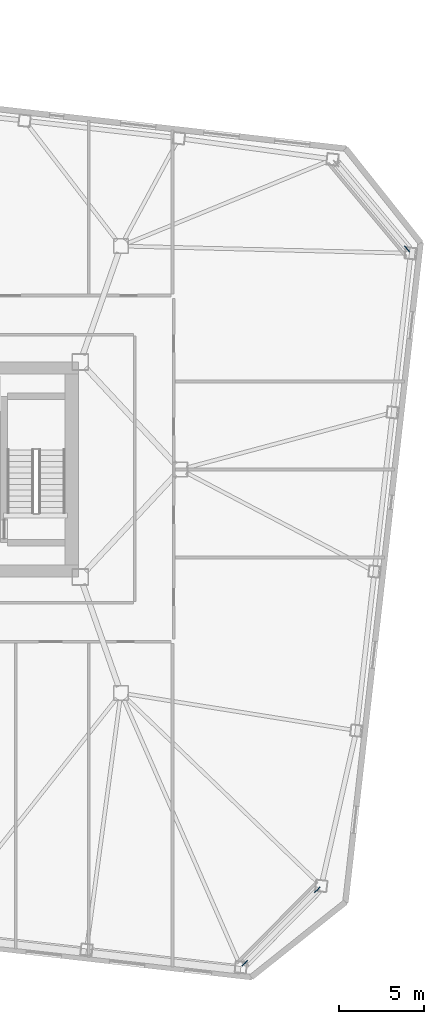
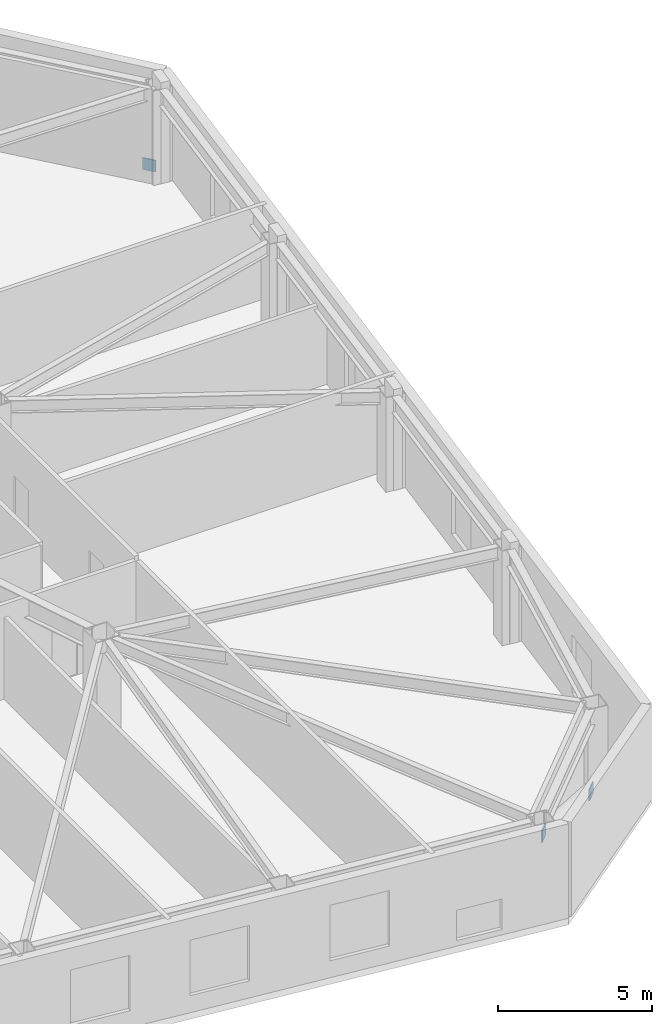
# One storey, part 19 of 21: 3 discrete accessories.
"""IFC4 building model written with IfcOpenShell, lengths in metres."""

import ifcopenshell
import ifcopenshell.guid

model = None  # the IFC model being written
_history = None  # IfcOwnerHistory: only IFC2X3 demands one
_inside = {}  # id of a spatial element -> (the spatial element, [elements in it])
_under = {}  # id of a project, library or spatial element -> (it, [spatial elements below it])
_declared = {}  # id of a project -> (the project, [libraries it declares])
_typed = {}  # id of a type object -> (the type object, [elements of that type])
_made_of = {}  # id of a material, layer set ... -> (it, [elements and type objects made of it])


def new_model(schema):
    """Start an empty IFC model of exactly this schema.

    Asked for "IFC4X3", IfcOpenShell would pick the latest addendum, in which some entities
    have other attributes; the version numbers below select the first issue.
    IFC2X3 requires an IfcOwnerHistory on every rooted entity: one is made here for all.
    """
    global model, _history
    if schema == "IFC4X3":
        model = ifcopenshell.file(schema_version=(4, 3, 0, 0))
    else:
        model = ifcopenshell.file(schema=schema)
    _inside.clear()
    _under.clear()
    _declared.clear()
    _typed.clear()
    _made_of.clear()
    _history = None
    if model.schema == "IFC2X3":
        org = make("IfcOrganization", Name="unknown")
        user = make(
            "IfcPersonAndOrganization",
            ThePerson=make("IfcPerson", FamilyName="unknown"),
            TheOrganization=org,
        )
        app = make(
            "IfcApplication",
            ApplicationDeveloper=org,
            Version="unknown",
            ApplicationFullName="unknown",
            ApplicationIdentifier="unknown",
        )
        _history = make(
            "IfcOwnerHistory",
            OwningUser=user,
            OwningApplication=app,
            ChangeAction="ADDED",
            CreationDate=0,
        )
    return model


def make(cls, **values):
    """One entity of the class cls with the attributes given. An attribute that is None is left unset."""
    return model.create_entity(
        cls, **{name: value for name, value in values.items() if value is not None}
    )


def rooted(cls, **values):
    """An entity with a GlobalId (a new one), such as an element, a storey or a relation."""
    return make(cls, GlobalId=ifcopenshell.guid.new(), OwnerHistory=_history, **values)


def si_unit(unit_type, name, prefix=None):
    """IfcSIUnit, for example si_unit("LENGTHUNIT", "METRE", prefix="MILLI")."""
    return make("IfcSIUnit", UnitType=unit_type, Prefix=prefix, Name=name)


def assignment(units):
    """IfcUnitAssignment: the units of a project."""
    return None if units is None else make("IfcUnitAssignment", Units=units)


def point(xyz):
    """IfcCartesianPoint."""
    return None if xyz is None else make("IfcCartesianPoint", Coordinates=xyz)


def direction(xyz):
    """IfcDirection."""
    return None if xyz is None else make("IfcDirection", DirectionRatios=xyz)


def frame(location, z_axis=None, x_axis=None):
    """IfcAxis2Placement3D, a coordinate frame: its origin and axes. An axis left out is left unset."""
    return make(
        "IfcAxis2Placement3D",
        Location=point(location),
        Axis=direction(z_axis),
        RefDirection=direction(x_axis),
    )


def frame_2d(location, x_axis=None):
    """IfcAxis2Placement2D, a coordinate frame in the plane: its origin and x axis."""
    return make(
        "IfcAxis2Placement2D", Location=point(location), RefDirection=direction(x_axis)
    )


def origin():
    """The frame at (0, 0, 0) with its axes left unset."""
    return frame((0.0, 0.0, 0.0))


def origin_2d():
    """The frame at (0, 0) in the plane with its x axis left unset."""
    return frame_2d((0.0, 0.0))


def place(relative_to, where):
    """IfcLocalPlacement: puts the frame where relative to a parent placement (None: the world)."""
    return make(
        "IfcLocalPlacement", PlacementRelTo=relative_to, RelativePlacement=where
    )


def context(
    kind, dimensions, precision=None, world=None, true_north=None, identifier=None
):
    """IfcGeometricRepresentationContext, for example the 3D "Model" context."""
    return make(
        "IfcGeometricRepresentationContext",
        ContextIdentifier=identifier,
        ContextType=kind,
        CoordinateSpaceDimension=dimensions,
        Precision=precision,
        WorldCoordinateSystem=world,
        TrueNorth=true_north,
    )


def subcontext(parent, identifier, kind, view, scale=None):
    """IfcGeometricRepresentationSubContext, for example "Body" below "Model"."""
    return make(
        "IfcGeometricRepresentationSubContext",
        ContextIdentifier=identifier,
        ContextType=kind,
        ParentContext=parent,
        TargetScale=scale,
        TargetView=view,
    )


def project(units=None, contexts=None):
    """IfcProject with its units and contexts."""
    return rooted(
        "IfcProject",
        Name="project",
        RepresentationContexts=contexts,
        UnitsInContext=assignment(units),
    )


def spatial(cls, under=None, at=None, **own):
    """A site, building, storey or space (cls), placed at a placement, below another one or the project."""
    s = rooted(cls, ObjectPlacement=at, **own)
    if under is not None:
        _under.setdefault(under.id(), (under, []))[1].append(s)
    return s


def profile(cls, at=None, kind="AREA", **sizes):
    """A parametric profile (cls). Its sizes go by their IFC names, for example OverallWidth=200.0."""
    return make(cls, ProfileType=kind, Position=at, **sizes)


def rectangle(**sizes):
    """IfcRectangleProfileDef."""
    return profile("IfcRectangleProfileDef", **sizes)


def extrude(swept, where, along, depth):
    """IfcExtrudedAreaSolid: the profile swept, set in the frame where, extruded along a direction by depth."""
    return make(
        "IfcExtrudedAreaSolid",
        SweptArea=swept,
        Position=where,
        ExtrudedDirection=direction(along),
        Depth=depth,
    )


def shape(context_of_items, identifier, shape_type, items):
    """IfcShapeRepresentation: the items that make up one representation, for example the "Body"."""
    return make(
        "IfcShapeRepresentation",
        ContextOfItems=context_of_items,
        RepresentationIdentifier=identifier,
        RepresentationType=shape_type,
        Items=items,
    )


def material(Name=None, Category=None):
    """IfcMaterial."""
    return make("IfcMaterial", Name=Name, Category=Category)


def made_of(thing, what):
    """Note that an element or type object is made of a material, layer set ...; save() writes the relation."""
    if what is not None:
        _made_of.setdefault(what.id(), (what, []))[1].append(thing)
    return thing


def type_object(cls, material=None, **own):
    """A type object (cls), such as IfcWallType, which elements share."""
    return made_of(rooted(cls, **own), material)


def element(
    cls,
    number,
    at=None,
    inside=None,
    cuts=None,
    type_object=None,
    material=None,
    context=None,
    identifier="Body",
    shape_type=None,
    held_by="IfcProductDefinitionShape",
    body=None,
    shapes=None,
    **own,
):
    """One element of the class cls, such as IfcWall. Its Tag is "e" and its number.

    at: its placement. inside: the storey or other place that contains it. cuts: it is an
    opening in that element (IfcRelVoidsElement). A single representation is given by context,
    identifier, shape_type and body (its items); several are given by shapes. held_by: the class
    of the entity that holds the representations. save() writes the other relations.
    """
    e = rooted(cls, Tag="e%d" % number, ObjectPlacement=at, **own)
    if body is not None:
        shapes = [shape(context, identifier, shape_type, body)]
    if shapes is not None:
        e.Representation = make(held_by, Representations=shapes)
    if inside is not None:
        _inside.setdefault(inside.id(), (inside, []))[1].append(e)
    if cuts is not None:
        rooted(
            "IfcRelVoidsElement", RelatingBuildingElement=cuts, RelatedOpeningElement=e
        )
    if type_object is not None:
        _typed.setdefault(type_object.id(), (type_object, []))[1].append(e)
    return made_of(e, material)


def aggregate(whole, parts):
    """IfcRelAggregates: a whole, such as a stair, and the parts it consists of."""
    return rooted("IfcRelAggregates", RelatingObject=whole, RelatedObjects=parts)


def save(model, path):
    """Write the relations noted so far, then the file.

    IfcRelAggregates (storeys below a building ...), IfcRelContainedInSpatialStructure (elements
    in a storey), IfcRelDefinesByType, IfcRelAssociatesMaterial and IfcRelDeclares: one each for
    every whole, place, type object, material and project.
    """
    for whole, parts in _under.values():
        aggregate(whole, parts)
    for where, things in _inside.values():
        rooted(
            "IfcRelContainedInSpatialStructure",
            RelatedElements=things,
            RelatingStructure=where,
        )
    for kind, things in _typed.values():
        rooted("IfcRelDefinesByType", RelatedObjects=things, RelatingType=kind)
    for what, things in _made_of.values():
        rooted("IfcRelAssociatesMaterial", RelatedObjects=things, RelatingMaterial=what)
    for by, libraries in _declared.values():
        rooted("IfcRelDeclares", RelatingContext=by, RelatedDefinitions=libraries)
    model.write(path)


model = new_model("IFC4")

# Units and contexts
model_context = context("Model", 3, precision=1e-05, world=origin(), true_north=direction((0.0, 1.0)))
body_context = subcontext(model_context, "Body", "Model", "MODEL_VIEW")
ifc_project = project(units=[si_unit("LENGTHUNIT", "METRE"), si_unit("AREAUNIT", "SQUARE_METRE"), si_unit("VOLUMEUNIT", "CUBIC_METRE"), si_unit("PLANEANGLEUNIT", "RADIAN"), si_unit("MASSUNIT", "GRAM", prefix="KILO")], contexts=[model_context])

# Site, building, storey
site_placement = place(None, origin())
site = spatial("IfcSite", under=ifc_project, at=site_placement, CompositionType="ELEMENT")
building_placement = place(site_placement, origin())
building = spatial("IfcBuilding", under=site, at=building_placement, Name="Tavrogorsk Clinical Tower", CompositionType="ELEMENT")
storey_placement = place(building_placement, frame((0.0, 0.0, 133.39990234375)))
storey = spatial("IfcBuildingStorey", under=building, at=storey_placement, Name="L30", CompositionType="ELEMENT", Elevation=133.39990234375)

# Discrete accessories
ifc_material = material(Name="Structural steel S440", Category="steel")
discrete_accessory_type = type_object("IfcDiscreteAccessoryType", Name="GussetPlateBracket_25", PredefinedType="BRACKET", material=ifc_material)
for number, where, z_axis, x_axis, name in (
    (1, (36.1025390625, -24.82763671875, 0.20458984375), (0.0, 0.0, 1.0), (-0.702898299792, -0.711290362756, 0.0), "L30 Brace Gusset Plate EXOCRN-L30-1-A"),
    (2, (31.81640625, -29.1650390625, 2.67578125), (0.0, 0.0, 1.0), (-0.702898299792, -0.711290362756, 0.0), "L30 Brace Gusset Plate EXOCRN-L30-1-B"),
    (3, (41.40771484375, 13.03076171875, 0.197021484375), (0.0, 0.0, 1.0), (-0.640243780506, 0.768171791674, 0.0), "L30 Brace Gusset Plate EXOCRN-L30-2-A"),
):
    element("IfcDiscreteAccessory", number, at=place(storey_placement, frame(where, z_axis=z_axis, x_axis=x_axis)), inside=storey, type_object=discrete_accessory_type, Name=name, PredefinedType="BRACKET", context=body_context, shape_type="SweptSolid", body=[
        extrude(rectangle(XDim=0.4599609375, YDim=0.0400390625, at=origin_2d()), origin(), (0.0, 0.0, 1.0), 0.4599609375),
    ])

save(model, "model.ifc")
